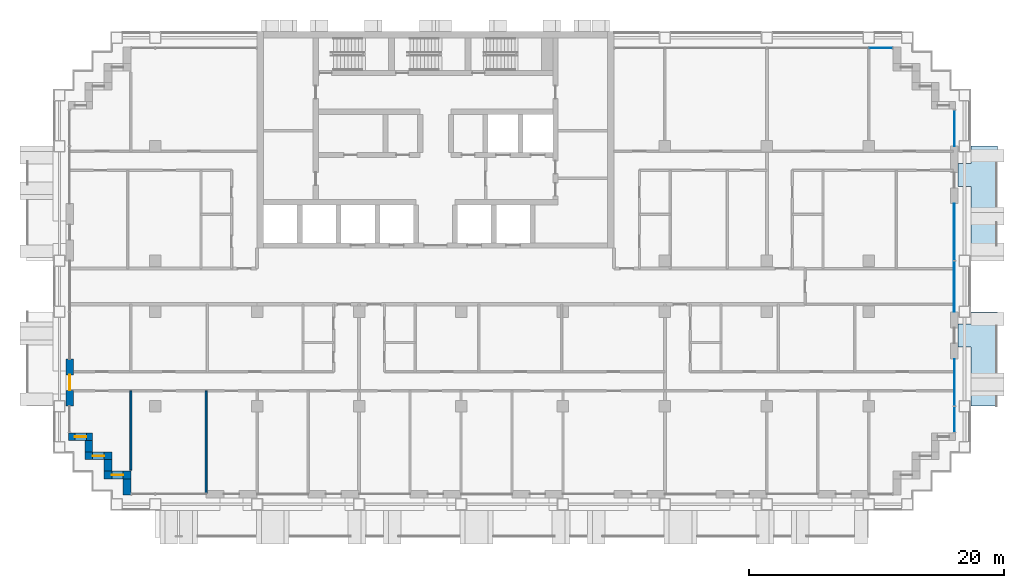
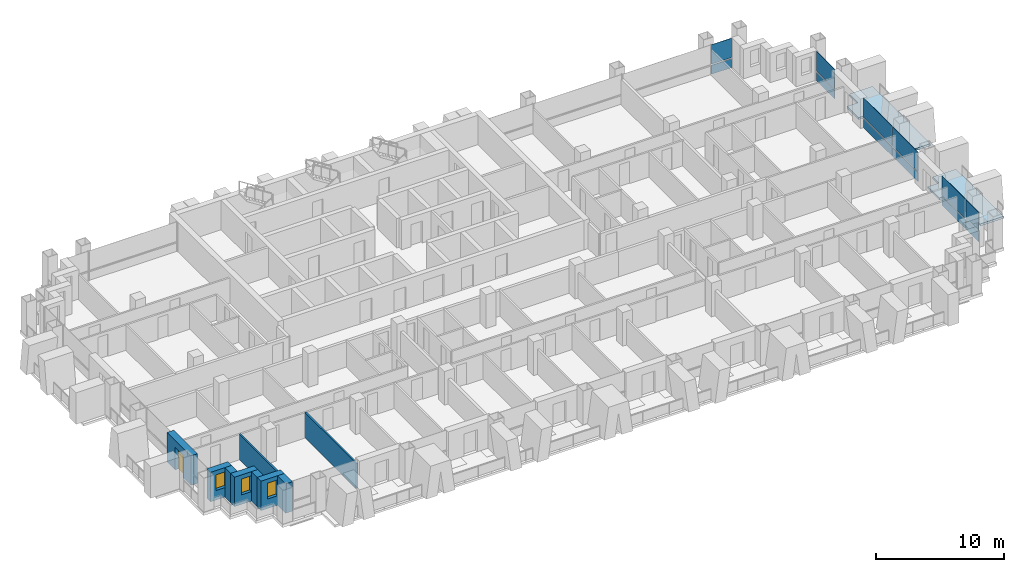
# One storey, part 8 of 18: 12 plates, 9 walls, 3 windows, 2 slabs, 1 door, 4 openings, 4 elements without a shape of their own.
"""IFC4 building model written with IfcOpenShell, lengths in metres."""

from ifc_helpers import new_model, si_unit, direction, frame, frame_2d, origin, origin_2d, place, context, subcontext, project, spatial, polyline, rectangle, outline, extrude, material, layer, layer_set, type_object, element, fill, aggregate, save


model = new_model("IFC4")

# Units and contexts
model_context = context("Model", 3, precision=1e-05, world=origin(), true_north=direction((0.0, 1.0)))
body_context = subcontext(model_context, "Body", "Model", "MODEL_VIEW")
ifc_project = project(units=[si_unit("LENGTHUNIT", "METRE"), si_unit("AREAUNIT", "SQUARE_METRE"), si_unit("VOLUMEUNIT", "CUBIC_METRE"), si_unit("PLANEANGLEUNIT", "RADIAN"), si_unit("MASSUNIT", "GRAM", prefix="KILO")], contexts=[model_context])

# Site, building, storey
site_placement = place(None, origin())
site = spatial("IfcSite", under=ifc_project, at=site_placement, CompositionType="ELEMENT")
building_placement = place(site_placement, origin())
building = spatial("IfcBuilding", under=site, at=building_placement, Name="Vidyagriha Tower", CompositionType="ELEMENT")
storey_placement = place(building_placement, frame((0.0, 0.0, 103.10009765625)))
storey = spatial("IfcBuildingStorey", under=building, at=storey_placement, Name="L27", CompositionType="ELEMENT", Elevation=103.10009765625)

# Curtain wall, plate
ifc_material_1 = material(Name="Aluminium and glass curtain wall", Category="aluminium")
curtain_wall_type = type_object("IfcCurtainWallType", Name="Dwelling skin unitised curtain wall", PredefinedType="USERDEFINED", material=ifc_material_1)
curtain_wall_1_placement = place(storey_placement, origin())
curtain_wall_1 = element("IfcCurtainWall", 1, at=curtain_wall_1_placement, inside=storey, type_object=curtain_wall_type, Name="CW1 dwelling skin", ObjectType="UNITISED", PredefinedType="USERDEFINED")
ifc_material_2 = material(Name="Glass dark ceramic-fritted spandrel", Category="glass")
ifc_layer_1 = layer(ifc_material_2, 0.0400390625)
ifc_layer_set_1 = layer_set([ifc_layer_1], Name="Glass dark ceramic-fritted spandrel")
plate_type_1 = type_object("IfcPlateType", Name="Ceramic-fritted spandrel panel", PredefinedType="CURTAIN_PANEL", material=ifc_layer_set_1)
plate_1_placement = place(storey_placement, frame((34.9326171875, 18.699951171875, -0.000244140625), z_axis=(0.0, 0.0, 1.0), x_axis=(-1.0, 0.0, 0.0)))
plate_1 = element("IfcPlate", 2, at=plate_1_placement, type_object=plate_type_1, Name="CW1 panel 1.1", PredefinedType="CURTAIN_PANEL", context=body_context, shape_type="SweptSolid", body=[
    extrude(rectangle(XDim=1.794921875, YDim=0.0400390625, at=origin_2d()), origin(), (0.0, 0.0, 1.0), 0.85009765625),
])

# Curtain wall, plates
curtain_wall_2_placement = place(storey_placement, origin())
curtain_wall_2 = element("IfcCurtainWall", 3, at=curtain_wall_2_placement, inside=storey, type_object=curtain_wall_type, Name="CW1 dwelling skin", ObjectType="UNITISED", PredefinedType="USERDEFINED")
plate_2_placement = place(storey_placement, frame((40.699951171875, -10.4326171875, -0.000244140625), z_axis=(0.0, 0.0, 1.0), x_axis=(0.0, 1.0, 0.0)))
plate_2 = element("IfcPlate", 4, at=plate_2_placement, type_object=plate_type_1, Name="CW1 panel 1.1", PredefinedType="CURTAIN_PANEL", context=body_context, shape_type="SweptSolid", body=[
    extrude(rectangle(XDim=1.9951171875, YDim=0.0400390625, at=origin_2d()), origin(), (0.0, 0.0, 1.0), 0.85009765625),
])
plate_3_placement = place(storey_placement, frame((40.699951171875, -7.532470703125, -0.000244140625), z_axis=(0.0, 0.0, 1.0), x_axis=(0.0, 1.0, 0.0)))
plate_3 = element("IfcPlate", 5, at=plate_3_placement, type_object=plate_type_1, Name="CW1 panel 2.1", PredefinedType="CURTAIN_PANEL", context=body_context, shape_type="SweptSolid", body=[
    extrude(rectangle(XDim=3.6650390625, YDim=0.0400390625, at=origin_2d()), origin(), (0.0, 0.0, 1.0), 0.85009765625),
])

# Curtain wall, plate
curtain_wall_3_placement = place(storey_placement, origin())
curtain_wall_3 = element("IfcCurtainWall", 6, at=curtain_wall_3_placement, inside=storey, type_object=curtain_wall_type, Name="CW1 dwelling skin", ObjectType="UNITISED", PredefinedType="USERDEFINED")
plate_4_placement = place(storey_placement, frame((40.699951171875, 12.4150390625, -0.000244140625), z_axis=(0.0, 0.0, 1.0), x_axis=(0.0, 1.0, 0.0)))
plate_4 = element("IfcPlate", 7, at=plate_4_placement, type_object=plate_type_1, Name="CW1 panel 1.1", PredefinedType="CURTAIN_PANEL", context=body_context, shape_type="SweptSolid", body=[
    extrude(rectangle(XDim=2.830078125, YDim=0.0400390625, at=origin_2d()), origin(), (0.0, 0.0, 1.0), 0.85009765625),
])

# Plate
ifc_material_3 = material(Name="Glass dark ceramic-fritted", Category="glass")
ifc_layer_2 = layer(ifc_material_3, 0.028076171875)
ifc_layer_set_2 = layer_set([ifc_layer_2], Name="Glass dark ceramic-fritted")
plate_type_2 = type_object("IfcPlateType", Name="Dark ceramic-fritted vision glass panel", PredefinedType="CURTAIN_PANEL", material=ifc_layer_set_2)
plate_5_placement = place(storey_placement, frame((34.9326171875, 18.699951171875, 0.949951171875), z_axis=(0.0, 0.0, 1.0), x_axis=(-1.0, 0.0, 0.0)))
plate_5 = element("IfcPlate", 8, at=plate_5_placement, type_object=plate_type_2, Name="CW1 panel 1.2", PredefinedType="CURTAIN_PANEL", context=body_context, shape_type="SweptSolid", body=[
    extrude(rectangle(XDim=1.794921875, YDim=0.028076171875, at=origin_2d()), origin(), (0.0, 0.0, 1.0), 1.85009765625),
])

aggregate(curtain_wall_1, [plate_1, plate_5])

plate_6_placement = place(storey_placement, frame((40.699951171875, -10.4326171875, 0.949951171875), z_axis=(0.0, 0.0, 1.0), x_axis=(0.0, 1.0, 0.0)))
plate_6 = element("IfcPlate", 9, at=plate_6_placement, type_object=plate_type_2, Name="CW1 panel 1.2", PredefinedType="CURTAIN_PANEL", context=body_context, shape_type="SweptSolid", body=[
    extrude(rectangle(XDim=1.9951171875, YDim=0.028076171875, at=origin_2d()), origin(), (0.0, 0.0, 1.0), 1.85009765625),
])

plate_7_placement = place(storey_placement, frame((40.699951171875, -7.532470703125, 0.949951171875), z_axis=(0.0, 0.0, 1.0), x_axis=(0.0, 1.0, 0.0)))
plate_7 = element("IfcPlate", 10, at=plate_7_placement, type_object=plate_type_2, Name="CW1 panel 2.2", PredefinedType="CURTAIN_PANEL", context=body_context, shape_type="SweptSolid", body=[
    extrude(rectangle(XDim=3.6650390625, YDim=0.028076171875, at=origin_2d()), origin(), (0.0, 0.0, 1.0), 1.85009765625),
])

aggregate(curtain_wall_2, [plate_2, plate_6, plate_3, plate_7])

# Curtain wall, plates
curtain_wall_4_placement = place(storey_placement, origin())
curtain_wall_4 = element("IfcCurtainWall", 11, at=curtain_wall_4_placement, inside=storey, type_object=curtain_wall_type, Name="CW1 dwelling skin", ObjectType="UNITISED", PredefinedType="USERDEFINED")
plate_8_placement = place(storey_placement, frame((40.699951171875, -0.017578125, 0.949951171875), z_axis=(0.0, 0.0, 1.0), x_axis=(0.0, 1.0, 0.0)))
plate_8 = element("IfcPlate", 12, at=plate_8_placement, type_object=plate_type_2, Name="CW1 panel 1.2", PredefinedType="CURTAIN_PANEL", context=body_context, shape_type="SweptSolid", body=[
    extrude(rectangle(XDim=3.965087890625, YDim=0.028076171875, at=origin_2d()), origin(), (0.0, 0.0, 1.0), 1.85009765625),
])
plate_9_placement = place(storey_placement, frame((40.699951171875, 4.267578125, 0.949951171875), z_axis=(0.0, 0.0, 1.0), x_axis=(0.0, 1.0, 0.0)))
plate_9 = element("IfcPlate", 13, at=plate_9_placement, type_object=plate_type_2, Name="CW1 panel 2.2", PredefinedType="CURTAIN_PANEL", context=body_context, shape_type="SweptSolid", body=[
    extrude(rectangle(XDim=4.465087890625, YDim=0.028076171875, at=origin_2d()), origin(), (0.0, 0.0, 1.0), 1.85009765625),
])

# Plate
plate_10_placement = place(storey_placement, frame((40.699951171875, 12.4150390625, 0.949951171875), z_axis=(0.0, 0.0, 1.0), x_axis=(0.0, 1.0, 0.0)))
plate_10 = element("IfcPlate", 14, at=plate_10_placement, type_object=plate_type_2, Name="CW1 panel 1.2", PredefinedType="CURTAIN_PANEL", context=body_context, shape_type="SweptSolid", body=[
    extrude(rectangle(XDim=2.830078125, YDim=0.028076171875, at=origin_2d()), origin(), (0.0, 0.0, 1.0), 1.85009765625),
])

aggregate(curtain_wall_3, [plate_4, plate_10])

ifc_material_4 = material(Name="Aluminium black anodised", Category="aluminium")
ifc_layer_3 = layer(ifc_material_4, 0.06005859375)
ifc_layer_set_3 = layer_set([ifc_layer_3], Name="Aluminium black anodised")
plate_type_3 = type_object("IfcPlateType", Name="Operable black-metal vent panel", PredefinedType="CURTAIN_PANEL", material=ifc_layer_set_3)
plate_11_placement = place(storey_placement, frame((40.699951171875, -0.017578125, -0.000244140625), z_axis=(0.0, 0.0, 1.0), x_axis=(0.0, 1.0, 0.0)))
plate_11 = element("IfcPlate", 15, at=plate_11_placement, type_object=plate_type_3, Name="CW1 panel 1.1", PredefinedType="CURTAIN_PANEL", context=body_context, shape_type="SweptSolid", body=[
    extrude(rectangle(XDim=3.965087890625, YDim=0.06005859375, at=origin_2d()), origin(), (0.0, 0.0, 1.0), 0.85009765625),
])

plate_12_placement = place(storey_placement, frame((40.699951171875, 4.267578125, -0.000244140625), z_axis=(0.0, 0.0, 1.0), x_axis=(0.0, 1.0, 0.0)))
plate_12 = element("IfcPlate", 16, at=plate_12_placement, type_object=plate_type_3, Name="CW1 panel 2.1", PredefinedType="CURTAIN_PANEL", context=body_context, shape_type="SweptSolid", body=[
    extrude(rectangle(XDim=4.465087890625, YDim=0.06005859375, at=origin_2d()), origin(), (0.0, 0.0, 1.0), 0.85009765625),
])

aggregate(curtain_wall_4, [plate_11, plate_8, plate_12, plate_9])

# Slabs
ifc_material_5 = material(Name="Precast concrete C40/50", Category="concrete")
ifc_layer_4 = layer(ifc_material_5, 0.199951171875)
ifc_layer_set_4 = layer_set([ifc_layer_4], Name="Precast concrete C40/50")
slab_type = type_object("IfcSlabType", Name="Precast balcony slab 200", PredefinedType="USERDEFINED", material=ifc_layer_set_4)
slab_1_placement = place(storey_placement, frame((0.0, 0.0, -0.2001953125)))
element("IfcSlab", 17, at=slab_1_placement, inside=storey, type_object=slab_type, Name="Balcony slab L27 R30.1-1", ObjectType="BALCONY", PredefinedType="USERDEFINED", context=body_context, shape_type="SweptSolid", body=[
    extrude(outline(polyline([(42.0, -4.75), (42.0, -9.39990234375), (44.10009765625, -9.39990234375), (44.10009765625, -2.0), (42.0, -2.0), (42.0, -2.949951171875), (41.0, -2.949951171875), (41.0, -4.75), (42.0, -4.75)])), origin(), (0.0, 0.0, 1.0), 0.2001953125),
])
slab_2_placement = place(storey_placement, frame((0.0, 0.0, -0.2001953125)))
element("IfcSlab", 18, at=slab_2_placement, inside=storey, type_object=slab_type, Name="Balcony slab L27 R30.2-2", ObjectType="BALCONY", PredefinedType="USERDEFINED", context=body_context, shape_type="SweptSolid", body=[
    extrude(outline(polyline([(42.0, 7.85009765625), (42.0, 2.0), (44.10009765625, 2.0), (44.10009765625, 11.0), (42.0, 11.0), (42.0, 9.64990234375), (41.0, 9.64990234375), (41.0, 7.85009765625), (42.0, 7.85009765625)])), origin(), (0.0, 0.0, 1.0), 0.2001953125),
])

# Wall, opening, door
ifc_material_6 = material(Name="Precast concrete C40/50 with brick facing", Category="concrete")
ifc_layer_5 = layer(ifc_material_6, 0.60009765625)
ifc_layer_set_5 = layer_set([ifc_layer_5], Name="Precast concrete C40/50 with brick facing")
wall_type_1 = type_object("IfcWallType", Name="Brick-faced precast wall 600", PredefinedType="STANDARD", material=ifc_layer_set_5)
wall_1_placement = place(storey_placement, frame((-28.699951171875, -5.699951171875, 0.0), z_axis=(0.0, 0.0, 1.0), x_axis=(0.0, -1.0, 0.0)))
wall_1 = element("IfcWall", 19, at=wall_1_placement, inside=storey, type_object=wall_type_1, Name="Brick door bay wall L27 R16.6", PredefinedType="STANDARD", context=body_context, shape_type="SweptSolid", body=[
    extrude(rectangle(XDim=3.699951171875, YDim=0.60009765625, at=frame_2d((1.85009765625, 0.0))), origin(), (0.0, 0.0, 1.0), 2.7998046875),
])
opening_1_placement = place(wall_1_placement, frame((1.25, 0.0, 0.0)))
opening_1 = element("IfcOpeningElement", 20, at=opening_1_placement, cuts=wall_1, Name="Opening D27-69", PredefinedType="OPENING", context=body_context, shape_type="SweptSolid", body=[
    extrude(rectangle(XDim=1.199951171875, YDim=2.10009765625, at=frame_2d((0.60009765625, 1.050048828125))), frame((0.0, 0.31005859375, 0.0), z_axis=(0.0, -1.0, 0.0), x_axis=(1.0, 0.0, 0.0)), (0.0, 0.0, 1.0), 0.6201171875),
])
ifc_material_7 = material(Name="Aluminium framed glazed sliding door", Category="aluminium")
door_type = type_object("IfcDoorType", Name="Balcony sliding door 1200x2100", OperationType="NOTDEFINED", PredefinedType="DOOR", material=ifc_material_7)
door_placement = place(opening_1_placement, origin())
door = element("IfcDoor", 21, at=door_placement, inside=storey, type_object=door_type, Name="Door D27-69", OperationType="SLIDING_TO_LEFT", OverallHeight=2.10009765625, OverallWidth=1.199951171875, PredefinedType="DOOR", context=body_context, shape_type="SweptSolid", body=[
    extrude(rectangle(XDim=1.199951171875, YDim=2.10009765625, at=frame_2d((0.60009765625, 1.050048828125))), frame((0.0, 0.02490234375, 0.0), z_axis=(0.0, -1.0, 0.0), x_axis=(1.0, 0.0, 0.0)), (0.0, 0.0, 1.0), 0.050048828125),
])
fill(opening_1, door)

# Wall, opening, window
wall_2_placement = place(storey_placement, frame((-28.780029296875, -11.800048828125, 0.0)))
wall_2 = element("IfcWall", 22, at=wall_2_placement, inside=storey, type_object=wall_type_1, Name="Stepped corner wall L27 R17", PredefinedType="STANDARD", context=body_context, shape_type="SweptSolid", body=[
    extrude(rectangle(XDim=1.880126953125, YDim=0.60009765625, at=frame_2d((0.93994140625, 0.0))), origin(), (0.0, 0.0, 1.0), 2.7998046875),
])
opening_2_placement = place(wall_2_placement, frame((0.489990234375, 0.0, 0.89990234375)))
opening_2 = element("IfcOpeningElement", 23, at=opening_2_placement, cuts=wall_2, Name="Opening WN1", PredefinedType="OPENING", context=body_context, shape_type="SweptSolid", body=[
    extrude(rectangle(XDim=0.89990234375, YDim=1.5, at=frame_2d((0.449951171875, 0.75))), frame((0.0, 0.31005859375, 0.0), z_axis=(0.0, -1.0, 0.0), x_axis=(1.0, 0.0, 0.0)), (0.0, 0.0, 1.0), 0.6201171875),
])
ifc_material_8 = material(Name="Aluminium and glass window", Category="aluminium")
window_type = type_object("IfcWindowType", Name="Reveal window 900x1500", PartitioningType="NOTDEFINED", PredefinedType="WINDOW", material=ifc_material_8)
window_1_placement = place(opening_2_placement, origin())
window_1 = element("IfcWindow", 24, at=window_1_placement, inside=storey, type_object=window_type, Name="Reveal window L27 R17", OverallHeight=1.5, OverallWidth=0.89990234375, PartitioningType="SINGLE_PANEL", PredefinedType="WINDOW", context=body_context, shape_type="SweptSolid", body=[
    extrude(rectangle(XDim=0.89990234375, YDim=1.5, at=frame_2d((0.449951171875, 0.75))), frame((0.0, 0.030029296875, 0.0), z_axis=(0.0, -1.0, 0.0), x_axis=(1.0, 0.0, 0.0)), (0.0, 0.0, 1.0), 0.06005859375),
])
fill(opening_2, window_1)

# Wall
wall_3_placement = place(storey_placement, frame((-27.199951171875, -12.10009765625, 0.0), z_axis=(0.0, 0.0, 1.0), x_axis=(0.0, -1.0, 0.0)))
element("IfcWall", 25, at=wall_3_placement, inside=storey, type_object=wall_type_1, Name="Stepped corner wall L27 R18", PredefinedType="STANDARD", context=body_context, shape_type="SweptSolid", body=[
    extrude(rectangle(XDim=0.89990234375, YDim=0.60009765625, at=frame_2d((0.449951171875, 0.0))), origin(), (0.0, 0.0, 1.0), 2.7998046875),
])

# Wall, opening, window
wall_4_placement = place(storey_placement, frame((-27.5, -13.300048828125, 0.0)))
wall_4 = element("IfcWall", 26, at=wall_4_placement, inside=storey, type_object=wall_type_1, Name="Stepped corner wall L27 R19", PredefinedType="STANDARD", context=body_context, shape_type="SweptSolid", body=[
    extrude(rectangle(XDim=2.10009765625, YDim=0.60009765625, at=frame_2d((1.050048828125, 0.0))), origin(), (0.0, 0.0, 1.0), 2.7998046875),
])
opening_3_placement = place(wall_4_placement, frame((0.60009765625, 0.0, 0.89990234375)))
opening_3 = element("IfcOpeningElement", 27, at=opening_3_placement, cuts=wall_4, Name="Opening WN1", PredefinedType="OPENING", context=body_context, shape_type="SweptSolid", body=[
    extrude(rectangle(XDim=0.89990234375, YDim=1.5, at=frame_2d((0.449951171875, 0.75))), frame((0.0, 0.31005859375, 0.0), z_axis=(0.0, -1.0, 0.0), x_axis=(1.0, 0.0, 0.0)), (0.0, 0.0, 1.0), 0.6201171875),
])
window_2_placement = place(opening_3_placement, origin())
window_2 = element("IfcWindow", 28, at=window_2_placement, inside=storey, type_object=window_type, Name="Reveal window L27 R19", OverallHeight=1.5, OverallWidth=0.89990234375, PartitioningType="SINGLE_PANEL", PredefinedType="WINDOW", context=body_context, shape_type="SweptSolid", body=[
    extrude(rectangle(XDim=0.89990234375, YDim=1.5, at=frame_2d((0.449951171875, 0.75))), frame((0.0, 0.030029296875, 0.0), z_axis=(0.0, -1.0, 0.0), x_axis=(1.0, 0.0, 0.0)), (0.0, 0.0, 1.0), 0.06005859375),
])
fill(opening_3, window_2)

# Wall
wall_5_placement = place(storey_placement, frame((-25.699951171875, -13.60009765625, 0.0), z_axis=(0.0, 0.0, 1.0), x_axis=(0.0, -1.0, 0.0)))
element("IfcWall", 29, at=wall_5_placement, inside=storey, type_object=wall_type_1, Name="Stepped corner wall L27 R20", PredefinedType="STANDARD", context=body_context, shape_type="SweptSolid", body=[
    extrude(rectangle(XDim=0.89990234375, YDim=0.60009765625, at=frame_2d((0.449951171875, 0.0))), origin(), (0.0, 0.0, 1.0), 2.7998046875),
])

# Wall, opening, window
wall_6_placement = place(storey_placement, frame((-26.0, -14.800048828125, 0.0)))
wall_6 = element("IfcWall", 30, at=wall_6_placement, inside=storey, type_object=wall_type_1, Name="Stepped corner wall L27 R21", PredefinedType="STANDARD", context=body_context, shape_type="SweptSolid", body=[
    extrude(rectangle(XDim=2.10009765625, YDim=0.60009765625, at=frame_2d((1.050048828125, 0.0))), origin(), (0.0, 0.0, 1.0), 2.7998046875),
])
opening_4_placement = place(wall_6_placement, frame((0.60009765625, 0.0, 0.89990234375)))
opening_4 = element("IfcOpeningElement", 31, at=opening_4_placement, cuts=wall_6, Name="Opening WN1", PredefinedType="OPENING", context=body_context, shape_type="SweptSolid", body=[
    extrude(rectangle(XDim=0.89990234375, YDim=1.5, at=frame_2d((0.449951171875, 0.75))), frame((0.0, 0.31005859375, 0.0), z_axis=(0.0, -1.0, 0.0), x_axis=(1.0, 0.0, 0.0)), (0.0, 0.0, 1.0), 0.6201171875),
])
window_3_placement = place(opening_4_placement, origin())
window_3 = element("IfcWindow", 32, at=window_3_placement, inside=storey, type_object=window_type, Name="Reveal window L27 R21", OverallHeight=1.5, OverallWidth=0.89990234375, PartitioningType="SINGLE_PANEL", PredefinedType="WINDOW", context=body_context, shape_type="SweptSolid", body=[
    extrude(rectangle(XDim=0.89990234375, YDim=1.5, at=frame_2d((0.449951171875, 0.75))), frame((0.0, 0.030029296875, 0.0), z_axis=(0.0, -1.0, 0.0), x_axis=(1.0, 0.0, 0.0)), (0.0, 0.0, 1.0), 0.06005859375),
])
fill(opening_4, window_3)

# Walls
wall_7_placement = place(storey_placement, frame((-24.199951171875, -15.10009765625, 0.0), z_axis=(0.0, 0.0, 1.0), x_axis=(0.0, -1.0, 0.0)))
element("IfcWall", 33, at=wall_7_placement, inside=storey, type_object=wall_type_1, Name="Stepped corner wall L27 R22", PredefinedType="STANDARD", context=body_context, shape_type="SweptSolid", body=[
    extrude(rectangle(XDim=1.27978515625, YDim=0.60009765625, at=frame_2d((0.639892578125, 0.0))), origin(), (0.0, 0.0, 1.0), 2.7998046875),
])
ifc_material_9 = material(Name="Gypsum board partition")
ifc_layer_6 = layer(ifc_material_9, 0.14990234375)
ifc_layer_set_6 = layer_set([ifc_layer_6], Name="Gypsum board partition")
wall_type_2 = type_object("IfcWallType", Name="Gypsum board partition 150", PredefinedType="PARTITIONING", material=ifc_layer_set_6)
wall_8_placement = place(storey_placement, frame((-23.89990234375, -8.199951171875, 0.0), z_axis=(0.0, 0.0, 1.0), x_axis=(0.0, -1.0, 0.0)))
element("IfcWall", 34, at=wall_8_placement, inside=storey, type_object=wall_type_2, Name="Wall all-L27-w018", PredefinedType="PARTITIONING", context=body_context, shape_type="SweptSolid", body=[
    extrude(rectangle(XDim=6.219970703125, YDim=0.14990234375, at=frame_2d((3.10986328125, 0.0))), origin(), (0.0, 0.0, 1.0), 2.39990234375),
])
wall_9_placement = place(storey_placement, frame((-18.0, -8.199951171875, 0.0), z_axis=(0.0, 0.0, 1.0), x_axis=(0.0, -1.0, 0.0)))
element("IfcWall", 35, at=wall_9_placement, inside=storey, type_object=wall_type_2, Name="Wall all-L27-w019", PredefinedType="PARTITIONING", context=body_context, shape_type="SweptSolid", body=[
    extrude(rectangle(XDim=8.02099609375, YDim=0.14990234375, at=frame_2d((4.010498046875, 0.0))), origin(), (0.0, 0.0, 1.0), 2.39990234375),
])

save(model, "model.ifc")
